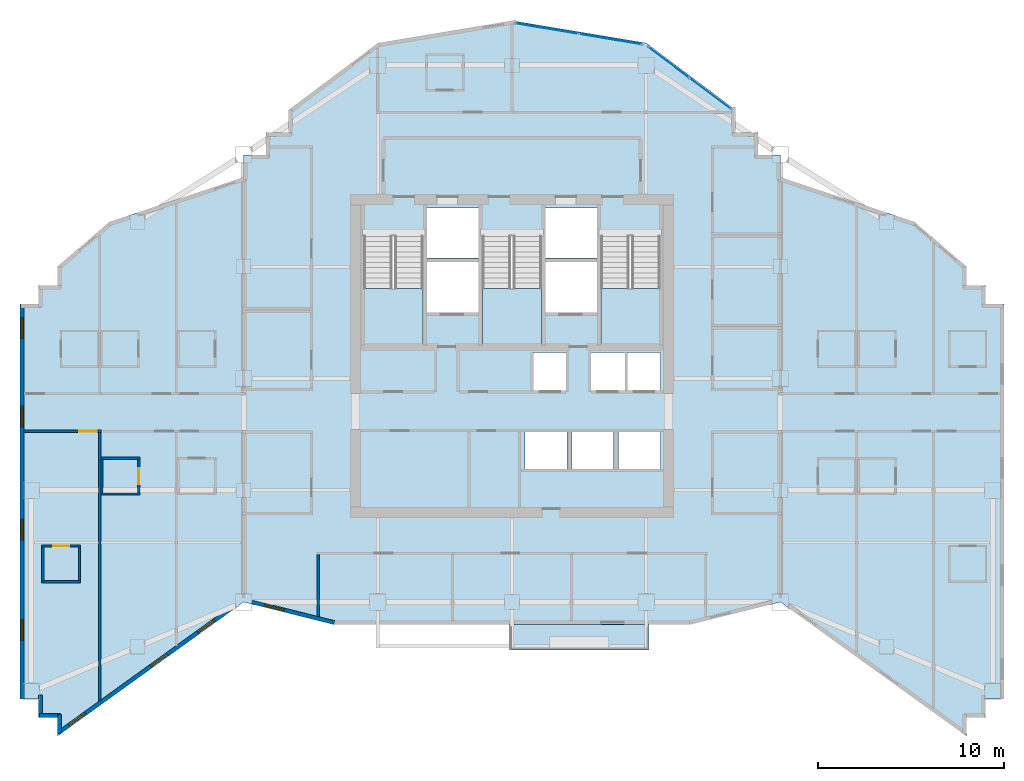
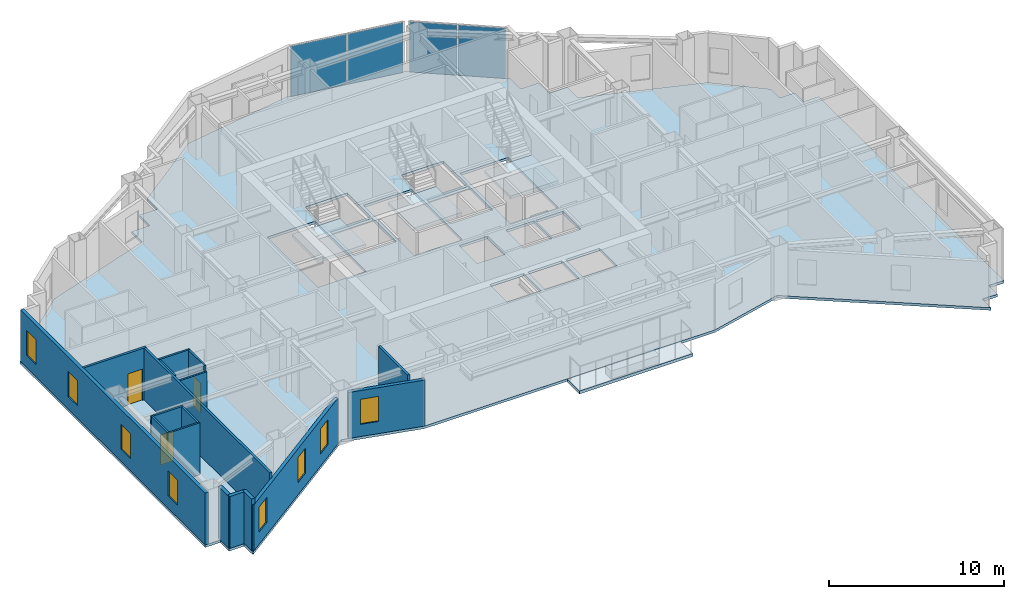
# One storey, part 4 of 11: 17 walls, 8 windows, 5 slabs, 4 plates, 3 doors, 11 openings, 5 elements without a shape of their own.
"""IFC4 building model written with IfcOpenShell, lengths in metres."""

from ifc_helpers import new_model, si_unit, direction, frame, frame_2d, origin, origin_2d, place, context, subcontext, project, spatial, polyline, rectangle, outline, extrude, material, layer, layer_set, type_object, element, fill, aggregate, save


model = new_model("IFC4")

# Units and contexts
model_context = context("Model", 3, precision=1e-05, world=origin(), true_north=direction((0.0, 1.0)))
body_context = subcontext(model_context, "Body", "Model", "MODEL_VIEW")
ifc_project = project(units=[si_unit("LENGTHUNIT", "METRE"), si_unit("AREAUNIT", "SQUARE_METRE"), si_unit("VOLUMEUNIT", "CUBIC_METRE"), si_unit("PLANEANGLEUNIT", "RADIAN"), si_unit("MASSUNIT", "GRAM", prefix="KILO")], contexts=[model_context])

# Site, building, storey
site_placement = place(None, origin())
site = spatial("IfcSite", under=ifc_project, at=site_placement, CompositionType="ELEMENT")
building_placement = place(site_placement, origin())
building = spatial("IfcBuilding", under=site, at=building_placement, Name="Haolan Belvedere Tower", CompositionType="ELEMENT")
storey_placement = place(building_placement, frame((0.0, 0.0, 223.0)))
storey = spatial("IfcBuildingStorey", under=building, at=storey_placement, Name="L56", CompositionType="ELEMENT", Elevation=223.0)

# Curtain wall, plates
ifc_material_1 = material(Name="Anodised champagne-silver aluminium 6063-T6 and Low-E glass", Category="aluminium")
ifc_layer_1 = layer(ifc_material_1, 0.14990234375, Name="Anodised champagne-silver aluminium 6063-T6 and Low-E glass")
ifc_layer_set_1 = layer_set([ifc_layer_1], Name="Anodised champagne-silver aluminium 6063-T6 and Low-E glass")
curtain_wall_type = type_object("IfcCurtainWallType", Name="CW-SYS-04", PredefinedType="NOTDEFINED", material=ifc_layer_set_1)
curtain_wall_1_placement = place(storey_placement, origin())
curtain_wall_1 = element("IfcCurtainWall", 1, at=curtain_wall_1_placement, inside=storey, type_object=curtain_wall_type, Name="L56 CW-SYS-04 ribbon curtain wall 20.1", PredefinedType="NOTDEFINED")
ifc_material_2 = material(Name="Double silver Low-E laminated insulating glass", Category="glass")
ifc_layer_2 = layer(ifc_material_2, 0.02392578125, Name="Double silver Low-E laminated insulating glass")
ifc_layer_set_2 = layer_set([ifc_layer_2], Name="Double silver Low-E laminated insulating glass")
plate_type = type_object("IfcPlateType", Name="CW-SYS-04-PNL", PredefinedType="CURTAIN_PANEL", material=ifc_layer_set_2)
plate_1_placement = place(storey_placement, frame((49.0390625, 48.883056640625, 0.052001953125), z_axis=(0.0, 0.0, 1.0), x_axis=(-0.799997871638, 0.600002837806, 0.0)))
plate_1 = element("IfcPlate", 2, at=plate_1_placement, type_object=plate_type, Name="CW-04 panel 1.1", PredefinedType="CURTAIN_PANEL", context=body_context, shape_type="SweptSolid", body=[
    extrude(rectangle(XDim=2.735107421875, YDim=0.02392578125, at=origin_2d()), origin(), (0.0, 0.0, 1.0), 3.51611328125),
])
plate_2_placement = place(storey_placement, frame((46.806396484375, 50.557861328125, 0.052001953125), z_axis=(0.0, 0.0, 1.0), x_axis=(-0.799997871638, 0.600002837806, 0.0)))
plate_2 = element("IfcPlate", 3, at=plate_2_placement, type_object=plate_type, Name="CW-04 panel 2.1", PredefinedType="CURTAIN_PANEL", context=body_context, shape_type="SweptSolid", body=[
    extrude(rectangle(XDim=2.735107421875, YDim=0.02392578125, at=origin_2d()), origin(), (0.0, 0.0, 1.0), 3.51611328125),
])
aggregate(curtain_wall_1, [plate_1, plate_2])

curtain_wall_2_placement = place(storey_placement, origin())
curtain_wall_2 = element("IfcCurtainWall", 4, at=curtain_wall_2_placement, inside=storey, type_object=curtain_wall_type, Name="L56 CW-SYS-04 ribbon curtain wall 21.1", PredefinedType="NOTDEFINED")
plate_3_placement = place(storey_placement, frame((43.683837890625, 51.807861328125, 0.052001953125), z_axis=(0.0, 0.0, 1.0), x_axis=(-0.98639276122, 0.164405962825, 0.0)))
plate_3 = element("IfcPlate", 5, at=plate_3_placement, type_object=plate_type, Name="CW-04 panel 1.1", PredefinedType="CURTAIN_PANEL", context=body_context, shape_type="SweptSolid", body=[
    extrude(rectangle(XDim=3.403076171875, YDim=0.02392578125, at=origin_2d()), origin(), (0.0, 0.0, 1.0), 3.51611328125),
])
plate_4_placement = place(storey_placement, frame((40.271728515625, 52.37646484375, 0.052001953125), z_axis=(0.0, 0.0, 1.0), x_axis=(-0.98639276122, 0.164405962825, 0.0)))
plate_4 = element("IfcPlate", 6, at=plate_4_placement, type_object=plate_type, Name="CW-04 panel 2.1", PredefinedType="CURTAIN_PANEL", context=body_context, shape_type="SweptSolid", body=[
    extrude(rectangle(XDim=3.403076171875, YDim=0.02392578125, at=origin_2d()), origin(), (0.0, 0.0, 1.0), 3.51611328125),
])
aggregate(curtain_wall_2, [plate_3, plate_4])

# Slabs
ifc_material_3 = material(Name="Concrete C40/50", Category="concrete")
ifc_layer_3 = layer(ifc_material_3, 0.2099609375, Name="Concrete C40/50")
ifc_layer_set_3 = layer_set([ifc_layer_3], Name="Concrete C40/50")
slab_type_1 = type_object("IfcSlabType", Name="SL-BAL-210", PredefinedType="FLOOR", material=ifc_layer_set_3)
slab_1_placement = place(storey_placement, frame((0.0, 0.0, -0.22998046875)))
element("IfcSlab", 7, at=slab_1_placement, inside=storey, type_object=slab_type_1, Name="L56 structural tree-planter balcony slab BAL-L56-S1", PredefinedType="FLOOR", context=body_context, shape_type="SweptSolid", body=[
    extrude(outline(polyline([(38.25, 19.02001953125), (45.75, 19.02001953125), (45.75, 20.39990234375), (38.25, 20.39990234375), (38.25, 19.02001953125)])), origin(), (0.0, 0.0, 1.0), 0.2099609375),
])
ifc_layer_4 = layer(ifc_material_3, 0.179931640625, Name="Concrete C40/50")
ifc_layer_set_4 = layer_set([ifc_layer_4], Name="Concrete C40/50")
slab_type_2 = type_object("IfcSlabType", Name="SL-FLR-180", PredefinedType="FLOOR", material=ifc_layer_set_4)
slab_2_placement = place(storey_placement, frame((0.0, 0.0, -0.179931640625)))
element("IfcSlab", 8, at=slab_2_placement, inside=storey, type_object=slab_type_2, Name="L56 structural floor slab", PredefinedType="FLOOR", context=body_context, shape_type="SweptSolid", body=[
    extrude(outline(polyline([(24.0, 21.60009765625), (28.800048828125, 20.39990234375), (48.0, 20.39990234375), (52.800048828125, 21.60009765625), (62.800048828125, 14.39990234375), (62.800048828125, 15.39990234375), (63.800048828125, 15.39990234375), (63.800048828125, 16.39990234375), (64.800048828125, 16.39990234375), (64.800048828125, 37.60009765625), (63.800048828125, 37.60009765625), (63.800048828125, 38.60009765625), (62.800048828125, 38.60009765625), (62.800048828125, 39.60009765625), (60.0, 42.0), (52.800048828125, 44.39990234375), (52.800048828125, 45.60009765625), (51.60009765625, 45.60009765625), (51.60009765625, 46.800048828125), (50.39990234375, 46.800048828125), (50.39990234375, 48.0), (45.60009765625, 51.60009765625), (38.39990234375, 52.800048828125), (31.199951171875, 51.60009765625), (26.39990234375, 48.0), (26.39990234375, 46.800048828125), (25.199951171875, 46.800048828125), (25.199951171875, 45.60009765625), (24.0, 45.60009765625), (24.0, 44.39990234375), (16.800048828125, 42.0), (14.0, 39.60009765625), (14.0, 38.60009765625), (13.0, 38.60009765625), (13.0, 37.60009765625), (12.0, 37.60009765625), (12.0, 16.800048828125), (12.0, 16.39990234375), (13.0, 16.39990234375), (13.0, 15.39990234375), (14.0, 15.39990234375), (14.0, 14.39990234375), (24.0, 21.60009765625)]), holes=[polyline([(30.449951171875, 41.22998046875), (30.449951171875, 35.449951171875), (33.6298828125, 35.449951171875), (33.6298828125, 41.22998046875), (30.449951171875, 41.22998046875)]), polyline([(36.81005859375, 41.22998046875), (36.81005859375, 35.449951171875), (39.989990234375, 35.449951171875), (39.989990234375, 41.22998046875), (36.81005859375, 41.22998046875)]), polyline([(43.169921875, 41.22998046875), (43.169921875, 35.449951171875), (46.35009765625, 35.449951171875), (46.35009765625, 41.22998046875), (43.169921875, 41.22998046875)]), polyline([(33.830078125, 40.050048828125), (36.610107421875, 40.050048828125), (36.610107421875, 42.75), (33.830078125, 42.75), (33.830078125, 40.050048828125)]), polyline([(33.830078125, 37.14990234375), (36.610107421875, 37.14990234375), (36.610107421875, 39.85009765625), (33.830078125, 39.85009765625), (33.830078125, 37.14990234375)]), polyline([(40.18994140625, 40.050048828125), (42.969970703125, 40.050048828125), (42.969970703125, 42.75), (40.18994140625, 42.75), (40.18994140625, 40.050048828125)]), polyline([(40.18994140625, 37.14990234375), (42.969970703125, 37.14990234375), (42.969970703125, 39.85009765625), (40.18994140625, 39.85009765625), (40.18994140625, 37.14990234375)]), polyline([(39.5400390625, 32.949951171875), (41.389892578125, 32.949951171875), (41.389892578125, 35.0), (39.5400390625, 35.0), (39.5400390625, 32.949951171875)]), polyline([(42.6201171875, 32.949951171875), (44.469970703125, 32.949951171875), (44.469970703125, 35.0), (42.6201171875, 35.0), (42.6201171875, 32.949951171875)]), polyline([(44.580078125, 32.949951171875), (46.3798828125, 32.949951171875), (46.3798828125, 35.0), (44.580078125, 35.0), (44.580078125, 32.949951171875)]), polyline([(39.10009765625, 28.75), (41.340087890625, 28.75), (41.340087890625, 30.75), (39.10009765625, 30.75), (39.10009765625, 28.75)]), polyline([(41.610107421875, 28.75), (43.85009765625, 28.75), (43.85009765625, 30.75), (41.610107421875, 30.75), (41.610107421875, 28.75)]), polyline([(44.1201171875, 28.75), (46.360107421875, 28.75), (46.360107421875, 30.75), (44.1201171875, 30.75), (44.1201171875, 28.75)])]), origin(), (0.0, 0.0, 1.0), 0.179931640625),
])

# Stair, slab
stair_type = type_object("IfcStairType", Name="STR-DL-22R-173", PredefinedType="HALF_TURN_STAIR", material=ifc_material_3)
stair_1_placement = place(storey_placement, origin())
stair_1 = element("IfcStair", 9, at=stair_1_placement, inside=storey, type_object=stair_type, Name="L56 Smokeproof Core Exit Stair ST1", PredefinedType="HALF_TURN_STAIR")
ifc_layer_5 = layer(ifc_material_3, 0.199951171875, Name="Concrete C40/50")
ifc_layer_set_5 = layer_set([ifc_layer_5], Name="Concrete C40/50")
slab_type_3 = type_object("IfcSlabType", Name="SL-LAND-200", PredefinedType="LANDING", material=ifc_layer_set_5)
slab_3_placement = place(storey_placement, frame((0.0, 0.0, 1.699951171875)))
slab_3 = element("IfcSlab", 10, at=slab_3_placement, type_object=slab_type_3, Name="ST1 landing 1", PredefinedType="LANDING", context=body_context, shape_type="SweptSolid", body=[
    extrude(outline(polyline([(30.449951171875, 38.429931640625), (30.449951171875, 35.449951171875), (33.6298828125, 35.449951171875), (33.6298828125, 38.429931640625), (30.449951171875, 38.429931640625)])), origin(), (0.0, 0.0, 1.0), 0.199951171875),
])
aggregate(stair_1, [slab_3])

stair_2_placement = place(storey_placement, origin())
stair_2 = element("IfcStair", 11, at=stair_2_placement, inside=storey, type_object=stair_type, Name="L56 Smokeproof Core Exit Stair ST3", PredefinedType="HALF_TURN_STAIR")
slab_4_placement = place(storey_placement, frame((0.0, 0.0, 1.699951171875)))
slab_4 = element("IfcSlab", 12, at=slab_4_placement, type_object=slab_type_3, Name="ST3 landing 1", PredefinedType="LANDING", context=body_context, shape_type="SweptSolid", body=[
    extrude(outline(polyline([(36.81005859375, 38.429931640625), (36.81005859375, 35.449951171875), (39.989990234375, 35.449951171875), (39.989990234375, 38.429931640625), (36.81005859375, 38.429931640625)])), origin(), (0.0, 0.0, 1.0), 0.199951171875),
])
aggregate(stair_2, [slab_4])

stair_3_placement = place(storey_placement, origin())
stair_3 = element("IfcStair", 13, at=stair_3_placement, inside=storey, type_object=stair_type, Name="L56 Smokeproof Core Exit Stair ST2", PredefinedType="HALF_TURN_STAIR")
slab_5_placement = place(storey_placement, frame((0.0, 0.0, 1.699951171875)))
slab_5 = element("IfcSlab", 14, at=slab_5_placement, type_object=slab_type_3, Name="ST2 landing 1", PredefinedType="LANDING", context=body_context, shape_type="SweptSolid", body=[
    extrude(outline(polyline([(43.169921875, 38.429931640625), (43.169921875, 35.449951171875), (46.35009765625, 35.449951171875), (46.35009765625, 38.429931640625), (43.169921875, 38.429931640625)])), origin(), (0.0, 0.0, 1.0), 0.199951171875),
])
aggregate(stair_3, [slab_5])

# Wall, openings, windows
ifc_material_4 = material(Name="Precast concrete C40/50", Category="concrete")
ifc_layer_6 = layer(ifc_material_4, 0.219970703125, Name="Precast concrete C40/50")
ifc_layer_set_6 = layer_set([ifc_layer_6], Name="Precast concrete C40/50")
wall_type_1 = type_object("IfcWallType", Name="WL-EXT-220", PredefinedType="SOLIDWALL", material=ifc_layer_set_6)
wall_1_placement = place(storey_placement, frame((12.110107421875, 37.544921875, 0.0), z_axis=(0.0, 0.0, 1.0), x_axis=(0.0, -1.0, 0.0)))
wall_1 = element("IfcWall", 15, at=wall_1_placement, inside=storey, type_object=wall_type_1, Name="L56 pale-metal exterior spandrel wall 35.1", PredefinedType="SOLIDWALL", context=body_context, shape_type="SweptSolid", body=[
    extrude(rectangle(XDim=21.14501953125, YDim=0.219970703125, at=frame_2d((10.572509765625, 0.0))), origin(), (0.0, 0.0, 1.0), 3.6201171875),
])
opening_1_placement = place(wall_1_placement, frame((0.699951171875, 0.0, 0.85009765625)))
opening_1 = element("IfcOpeningElement", 16, at=opening_1_placement, cuts=wall_1, Name="Opening W-03", PredefinedType="OPENING", context=body_context, shape_type="SweptSolid", body=[
    extrude(rectangle(XDim=1.10009765625, YDim=1.75, at=frame_2d((0.550048828125, 0.875))), frame((0.0, 0.119873046875, 0.0), z_axis=(0.0, -1.0, 0.0), x_axis=(1.0, 0.0, 0.0)), (0.0, 0.0, 1.0), 0.239990234375),
])
opening_2_placement = place(wall_1_placement, frame((5.43994140625, 0.0, 0.85009765625)))
opening_2 = element("IfcOpeningElement", 17, at=opening_2_placement, cuts=wall_1, Name="Opening W-03", PredefinedType="OPENING", context=body_context, shape_type="SweptSolid", body=[
    extrude(rectangle(XDim=1.10009765625, YDim=1.75, at=frame_2d((0.550048828125, 0.875))), frame((0.0, 0.119873046875, 0.0), z_axis=(0.0, -1.0, 0.0), x_axis=(1.0, 0.0, 0.0)), (0.0, 0.0, 1.0), 0.239990234375),
])
opening_3_placement = place(wall_1_placement, frame((11.5, 0.0, 0.85009765625)))
opening_3 = element("IfcOpeningElement", 18, at=opening_3_placement, cuts=wall_1, Name="Opening W-03", PredefinedType="OPENING", context=body_context, shape_type="SweptSolid", body=[
    extrude(rectangle(XDim=1.10009765625, YDim=1.75, at=frame_2d((0.550048828125, 0.875))), frame((0.0, 0.119873046875, 0.0), z_axis=(0.0, -1.0, 0.0), x_axis=(1.0, 0.0, 0.0)), (0.0, 0.0, 1.0), 0.239990234375),
])
opening_4_placement = place(wall_1_placement, frame((16.89990234375, 0.0, 0.85009765625)))
opening_4 = element("IfcOpeningElement", 19, at=opening_4_placement, cuts=wall_1, Name="Opening W-03", PredefinedType="OPENING", context=body_context, shape_type="SweptSolid", body=[
    extrude(rectangle(XDim=1.10009765625, YDim=1.75, at=frame_2d((0.550048828125, 0.875))), frame((0.0, 0.119873046875, 0.0), z_axis=(0.0, -1.0, 0.0), x_axis=(1.0, 0.0, 0.0)), (0.0, 0.0, 1.0), 0.239990234375),
])
ifc_material_5 = material(Name="Anodised aluminium 6063-T6 and Low-E glass", Category="aluminium")
window_type = type_object("IfcWindowType", Name="WN-DECO-Z3", PartitioningType="SINGLE_PANEL", PredefinedType="WINDOW", material=ifc_material_5)
window_1_placement = place(opening_1_placement, origin())
window_1 = element("IfcWindow", 20, at=window_1_placement, inside=storey, type_object=window_type, Name="L56 Art Deco chevron window 1", OverallHeight=1.75, OverallWidth=1.10009765625, PartitioningType="SINGLE_PANEL", PredefinedType="WINDOW", context=body_context, shape_type="SweptSolid", body=[
    extrude(rectangle(XDim=1.10009765625, YDim=1.75, at=frame_2d((0.550048828125, 0.875))), frame((0.0, 0.030029296875, 0.0), z_axis=(0.0, -1.0, 0.0), x_axis=(1.0, 0.0, 0.0)), (0.0, 0.0, 1.0), 0.06005859375),
])
fill(opening_1, window_1)
window_2_placement = place(opening_2_placement, origin())
window_2 = element("IfcWindow", 21, at=window_2_placement, inside=storey, type_object=window_type, Name="L56 Art Deco chevron window 2", OverallHeight=1.75, OverallWidth=1.10009765625, PartitioningType="SINGLE_PANEL", PredefinedType="WINDOW", context=body_context, shape_type="SweptSolid", body=[
    extrude(rectangle(XDim=1.10009765625, YDim=1.75, at=frame_2d((0.550048828125, 0.875))), frame((0.0, 0.030029296875, 0.0), z_axis=(0.0, -1.0, 0.0), x_axis=(1.0, 0.0, 0.0)), (0.0, 0.0, 1.0), 0.06005859375),
])
fill(opening_2, window_2)
window_3_placement = place(opening_3_placement, origin())
window_3 = element("IfcWindow", 22, at=window_3_placement, inside=storey, type_object=window_type, Name="L56 Art Deco chevron window 3", OverallHeight=1.75, OverallWidth=1.10009765625, PartitioningType="SINGLE_PANEL", PredefinedType="WINDOW", context=body_context, shape_type="SweptSolid", body=[
    extrude(rectangle(XDim=1.10009765625, YDim=1.75, at=frame_2d((0.550048828125, 0.875))), frame((0.0, 0.030029296875, 0.0), z_axis=(0.0, -1.0, 0.0), x_axis=(1.0, 0.0, 0.0)), (0.0, 0.0, 1.0), 0.06005859375),
])
fill(opening_3, window_3)
window_4_placement = place(opening_4_placement, origin())
window_4 = element("IfcWindow", 23, at=window_4_placement, inside=storey, type_object=window_type, Name="L56 Art Deco chevron window 4", OverallHeight=1.75, OverallWidth=1.10009765625, PartitioningType="SINGLE_PANEL", PredefinedType="WINDOW", context=body_context, shape_type="SweptSolid", body=[
    extrude(rectangle(XDim=1.10009765625, YDim=1.75, at=frame_2d((0.550048828125, 0.875))), frame((0.0, 0.030029296875, 0.0), z_axis=(0.0, -1.0, 0.0), x_axis=(1.0, 0.0, 0.0)), (0.0, 0.0, 1.0), 0.06005859375),
])
fill(opening_4, window_4)

# Walls
wall_2_placement = place(storey_placement, frame((13.110107421875, 16.6201171875, 0.0), z_axis=(0.0, 0.0, 1.0), x_axis=(0.0, -1.0, 0.0)))
element("IfcWall", 24, at=wall_2_placement, inside=storey, type_object=wall_type_1, Name="L56 pale-metal exterior spandrel wall 37.1", PredefinedType="SOLIDWALL", context=body_context, shape_type="SweptSolid", body=[
    extrude(rectangle(XDim=1.1650390625, YDim=0.219970703125, at=frame_2d((0.58251953125, 0.0))), origin(), (0.0, 0.0, 1.0), 3.6201171875),
])
wall_3_placement = place(storey_placement, frame((13.054931640625, 15.510009765625, 0.0), z_axis=(0.0, 0.0, 1.0), x_axis=(1.0, 0.0, 0.0)))
element("IfcWall", 25, at=wall_3_placement, inside=storey, type_object=wall_type_1, Name="L56 pale-metal exterior spandrel wall 38.1", PredefinedType="SOLIDWALL", context=body_context, shape_type="SweptSolid", body=[
    extrude(rectangle(XDim=1.110107421875, YDim=0.219970703125, at=frame_2d((0.55517578125, 0.0))), origin(), (0.0, 0.0, 1.0), 3.6201171875),
])
wall_4_placement = place(storey_placement, frame((14.110107421875, 15.56494140625, 0.0), z_axis=(0.0, 0.0, 1.0), x_axis=(0.0, -1.0, 0.0)))
element("IfcWall", 26, at=wall_4_placement, inside=storey, type_object=wall_type_1, Name="L56 pale-metal exterior spandrel wall 39.1", PredefinedType="SOLIDWALL", context=body_context, shape_type="SweptSolid", body=[
    extrude(rectangle(XDim=1.005126953125, YDim=0.219970703125, at=frame_2d((0.50244140625, 0.0))), origin(), (0.0, 0.0, 1.0), 3.6201171875),
])

# Wall, openings, windows
wall_5_placement = place(storey_placement, frame((14.0654296875, 14.58251953125, 0.0), z_axis=(0.0, 0.0, 1.0), x_axis=(0.811534737332, 0.58430417601, 0.0)))
wall_5 = element("IfcWall", 27, at=wall_5_placement, inside=storey, type_object=wall_type_1, Name="L56 pale-metal exterior spandrel wall 40.1", PredefinedType="SOLIDWALL", context=body_context, shape_type="SweptSolid", body=[
    extrude(rectangle(XDim=11.697265625, YDim=0.219970703125, at=frame_2d((5.8486328125, 0.0))), origin(), (0.0, 0.0, 1.0), 3.215087890625),
])
opening_5_placement = place(wall_5_placement, frame((0.699951171875, 0.0, 0.85009765625)))
opening_5 = element("IfcOpeningElement", 28, at=opening_5_placement, cuts=wall_5, Name="Opening W-03", PredefinedType="OPENING", context=body_context, shape_type="SweptSolid", body=[
    extrude(rectangle(XDim=1.10009765625, YDim=1.75, at=frame_2d((0.550048828125, 0.875))), frame((0.0, 0.119873046875, 0.0), z_axis=(0.0, -1.0, 0.0), x_axis=(1.0, 0.0, 0.0)), (0.0, 0.0, 1.0), 0.239990234375),
])
opening_6_placement = place(wall_5_placement, frame((6.10009765625, 0.0, 0.85009765625)))
opening_6 = element("IfcOpeningElement", 29, at=opening_6_placement, cuts=wall_5, Name="Opening W-03", PredefinedType="OPENING", context=body_context, shape_type="SweptSolid", body=[
    extrude(rectangle(XDim=1.10009765625, YDim=1.75, at=frame_2d((0.550048828125, 0.875))), frame((0.0, 0.119873046875, 0.0), z_axis=(0.0, -1.0, 0.0), x_axis=(1.0, 0.0, 0.0)), (0.0, 0.0, 1.0), 0.239990234375),
])
opening_7_placement = place(wall_5_placement, frame((9.232666015625, 0.0, 0.85009765625)))
opening_7 = element("IfcOpeningElement", 30, at=opening_7_placement, cuts=wall_5, Name="Opening W-03", PredefinedType="OPENING", context=body_context, shape_type="SweptSolid", body=[
    extrude(rectangle(XDim=1.10009765625, YDim=1.75, at=frame_2d((0.550048828125, 0.875))), frame((0.0, 0.119873046875, 0.0), z_axis=(0.0, -1.0, 0.0), x_axis=(1.0, 0.0, 0.0)), (0.0, 0.0, 1.0), 0.239990234375),
])
window_5_placement = place(opening_5_placement, origin())
window_5 = element("IfcWindow", 31, at=window_5_placement, inside=storey, type_object=window_type, Name="L56 Art Deco chevron window 1", OverallHeight=1.75, OverallWidth=1.10009765625, PartitioningType="SINGLE_PANEL", PredefinedType="WINDOW", context=body_context, shape_type="SweptSolid", body=[
    extrude(rectangle(XDim=1.10009765625, YDim=1.75, at=frame_2d((0.550048828125, 0.875))), frame((0.0, 0.030029296875, 0.0), z_axis=(0.0, -1.0, 0.0), x_axis=(1.0, 0.0, 0.0)), (0.0, 0.0, 1.0), 0.06005859375),
])
fill(opening_5, window_5)
window_6_placement = place(opening_6_placement, origin())
window_6 = element("IfcWindow", 32, at=window_6_placement, inside=storey, type_object=window_type, Name="L56 Art Deco chevron window 2", OverallHeight=1.75, OverallWidth=1.10009765625, PartitioningType="SINGLE_PANEL", PredefinedType="WINDOW", context=body_context, shape_type="SweptSolid", body=[
    extrude(rectangle(XDim=1.10009765625, YDim=1.75, at=frame_2d((0.550048828125, 0.875))), frame((0.0, 0.030029296875, 0.0), z_axis=(0.0, -1.0, 0.0), x_axis=(1.0, 0.0, 0.0)), (0.0, 0.0, 1.0), 0.06005859375),
])
fill(opening_6, window_6)
window_7_placement = place(opening_7_placement, origin())
window_7 = element("IfcWindow", 33, at=window_7_placement, inside=storey, type_object=window_type, Name="L56 Art Deco guestroom window 1", OverallHeight=1.75, OverallWidth=1.10009765625, PartitioningType="SINGLE_PANEL", PredefinedType="WINDOW", context=body_context, shape_type="SweptSolid", body=[
    extrude(rectangle(XDim=1.10009765625, YDim=1.75, at=frame_2d((0.550048828125, 0.875))), frame((0.0, 0.030029296875, 0.0), z_axis=(0.0, -1.0, 0.0), x_axis=(1.0, 0.0, 0.0)), (0.0, 0.0, 1.0), 0.06005859375),
])
fill(opening_7, window_7)

# Wall, opening, window
wall_6_placement = place(storey_placement, frame((24.44189453125, 21.602783203125, 0.0), z_axis=(0.0, 0.0, 1.0), x_axis=(0.970145648609, -0.242523030833, 0.0)))
wall_6 = element("IfcWall", 34, at=wall_6_placement, inside=storey, type_object=wall_type_1, Name="L56 pale-metal exterior spandrel wall 41.1", PredefinedType="SOLIDWALL", context=body_context, shape_type="SweptSolid", body=[
    extrude(rectangle(XDim=4.561279296875, YDim=0.219970703125, at=frame_2d((2.28076171875, 0.0))), origin(), (0.0, 0.0, 1.0), 3.215087890625),
])
opening_8_placement = place(wall_6_placement, frame((0.699951171875, 0.0, 0.85009765625)))
opening_8 = element("IfcOpeningElement", 35, at=opening_8_placement, cuts=wall_6, Name="Opening W-03", PredefinedType="OPENING", context=body_context, shape_type="SweptSolid", body=[
    extrude(rectangle(XDim=1.10009765625, YDim=1.75, at=frame_2d((0.550048828125, 0.875))), frame((0.0, 0.119873046875, 0.0), z_axis=(0.0, -1.0, 0.0), x_axis=(1.0, 0.0, 0.0)), (0.0, 0.0, 1.0), 0.239990234375),
])
window_8_placement = place(opening_8_placement, origin())
window_8 = element("IfcWindow", 36, at=window_8_placement, inside=storey, type_object=window_type, Name="L56 Art Deco chevron window 1", OverallHeight=1.75, OverallWidth=1.10009765625, PartitioningType="SINGLE_PANEL", PredefinedType="WINDOW", context=body_context, shape_type="SweptSolid", body=[
    extrude(rectangle(XDim=1.10009765625, YDim=1.75, at=frame_2d((0.550048828125, 0.875))), frame((0.0, 0.030029296875, 0.0), z_axis=(0.0, -1.0, 0.0), x_axis=(1.0, 0.0, 0.0)), (0.0, 0.0, 1.0), 0.06005859375),
])
fill(opening_8, window_8)

# Wall
ifc_material_6 = material(Name="Double gypsum acoustic stud partition", Category="masonry")
ifc_layer_7 = layer(ifc_material_6, 0.14990234375, Name="Double gypsum acoustic stud partition")
ifc_layer_set_7 = layer_set([ifc_layer_7], Name="Double gypsum acoustic stud partition")
wall_type_2 = type_object("IfcWallType", Name="WL-PART-150", PredefinedType="PARTITIONING", material=ifc_layer_set_7)
wall_7_placement = place(storey_placement, frame((28.0, 20.818603515625, 0.0), z_axis=(0.0, 0.0, 1.0), x_axis=(0.0, 1.0, 0.0)))
element("IfcWall", 37, at=wall_7_placement, inside=storey, type_object=wall_type_2, Name="L56 interior partition IW-L56-KS2-W", PredefinedType="PARTITIONING", context=body_context, shape_type="SweptSolid", body=[
    extrude(rectangle(XDim=3.34130859375, YDim=0.14990234375, at=frame_2d((1.670654296875, 0.0))), origin(), (0.0, 0.0, 1.0), 3.6201171875),
])

# Wall, opening, door
wall_8_placement = place(storey_placement, frame((12.2119140625, 30.77001953125, 0.0), z_axis=(0.0, 0.0, 1.0), x_axis=(1.0, 0.0, 0.0)))
wall_8 = element("IfcWall", 38, at=wall_8_placement, inside=storey, type_object=wall_type_2, Name="L56 interior partition IW-L56-T2S1-N", PredefinedType="PARTITIONING", context=body_context, shape_type="SweptSolid", body=[
    extrude(rectangle(XDim=4.16796875, YDim=0.14990234375, at=frame_2d((2.083984375, 0.0))), origin(), (0.0, 0.0, 1.0), 3.6201171875),
])
opening_9_placement = place(wall_8_placement, frame((3.904541015625, 0.0, 0.0), z_axis=(0.0, 0.0, 1.0), x_axis=(-1.0, 0.0, 0.0)))
opening_9 = element("IfcOpeningElement", 39, at=opening_9_placement, cuts=wall_8, Name="Opening ID-01", PredefinedType="OPENING", context=body_context, shape_type="SweptSolid", body=[
    extrude(rectangle(XDim=0.949951171875, YDim=2.179931640625, at=frame_2d((0.47509765625, 1.08984375))), frame((0.0, 0.0849609375, 0.0), z_axis=(0.0, -1.0, 0.0), x_axis=(1.0, 0.0, 0.0)), (0.0, 0.0, 1.0), 0.169921875),
])
ifc_material_7 = material(Name="Acoustic walnut veneer fire-rated timber", Category="wood")
door_type_1 = type_object("IfcDoorType", Name="DR-SUITE-950", OperationType="NOTDEFINED", PredefinedType="DOOR", material=ifc_material_7)
door_1_placement = place(opening_9_placement, origin())
door_1 = element("IfcDoor", 40, at=door_1_placement, inside=storey, type_object=door_type_1, Name="L56 door ID-L56-T2S1-ENT", OperationType="SINGLE_SWING_LEFT", OverallHeight=2.179931640625, OverallWidth=0.949951171875, PredefinedType="DOOR", context=body_context, shape_type="SweptSolid", body=[
    extrude(rectangle(XDim=0.949951171875, YDim=2.179931640625, at=frame_2d((0.47509765625, 1.08984375))), frame((0.0, 0.02490234375, 0.0), z_axis=(0.0, -1.0, 0.0), x_axis=(1.0, 0.0, 0.0)), (0.0, 0.0, 1.0), 0.050048828125),
])
fill(opening_9, door_1)

# Wall
wall_9_placement = place(storey_placement, frame((16.280029296875, 16.302734375, 0.0), z_axis=(0.0, 0.0, 1.0), x_axis=(0.0, 1.0, 0.0)))
element("IfcWall", 41, at=wall_9_placement, inside=storey, type_object=wall_type_2, Name="L56 interior partition IW-L56-T2S1-E", PredefinedType="PARTITIONING", context=body_context, shape_type="SweptSolid", body=[
    extrude(rectangle(XDim=14.4072265625, YDim=0.14990234375, at=frame_2d((7.20361328125, 0.0))), origin(), (0.0, 0.0, 1.0), 3.6201171875),
])

# Wall, opening, door
ifc_material_8 = material(Name="Moisture-resistant gypsum tile partition", Category="masonry")
ifc_layer_8 = layer(ifc_material_8, 0.1201171875, Name="Moisture-resistant gypsum tile partition")
ifc_layer_set_8 = layer_set([ifc_layer_8], Name="Moisture-resistant gypsum tile partition")
wall_type_3 = type_object("IfcWallType", Name="WL-WET-120", PredefinedType="PARTITIONING", material=ifc_layer_set_8)
wall_10_placement = place(storey_placement, frame((13.155029296875, 24.610107421875, 0.0), z_axis=(0.0, 0.0, 1.0), x_axis=(1.0, 0.0, 0.0)))
wall_10 = element("IfcWall", 42, at=wall_10_placement, inside=storey, type_object=wall_type_3, Name="L56 interior partition IW-L56-T2S1-BN", PredefinedType="PARTITIONING", context=body_context, shape_type="SweptSolid", body=[
    extrude(rectangle(XDim=2.099853515625, YDim=0.1201171875, at=frame_2d((1.0498046875, 0.0))), origin(), (0.0, 0.0, 1.0), 3.6201171875),
])
opening_10_placement = place(wall_10_placement, frame((1.47509765625, 0.0, 0.0), z_axis=(0.0, 0.0, 1.0), x_axis=(-1.0, 0.0, 0.0)))
opening_10 = element("IfcOpeningElement", 43, at=opening_10_placement, cuts=wall_10, Name="Opening ID-05", PredefinedType="OPENING", context=body_context, shape_type="SweptSolid", body=[
    extrude(rectangle(XDim=0.85009765625, YDim=2.10009765625, at=frame_2d((0.425048828125, 1.050048828125))), frame((0.0, 0.070068359375, 0.0), z_axis=(0.0, -1.0, 0.0), x_axis=(1.0, 0.0, 0.0)), (0.0, 0.0, 1.0), 0.14013671875),
])
ifc_material_9 = material(Name="Moisture-resistant lacquered timber", Category="wood")
door_type_2 = type_object("IfcDoorType", Name="DR-BATH-850", OperationType="NOTDEFINED", PredefinedType="DOOR", material=ifc_material_9)
door_2_placement = place(opening_10_placement, origin())
door_2 = element("IfcDoor", 44, at=door_2_placement, inside=storey, type_object=door_type_2, Name="L56 door ID-L56-T2S1-BATH", OperationType="SINGLE_SWING_RIGHT", OverallHeight=2.10009765625, OverallWidth=0.85009765625, PredefinedType="DOOR", context=body_context, shape_type="SweptSolid", body=[
    extrude(rectangle(XDim=0.85009765625, YDim=2.10009765625, at=frame_2d((0.425048828125, 1.050048828125))), frame((0.0, 0.02490234375, 0.0), z_axis=(0.0, -1.0, 0.0), x_axis=(1.0, 0.0, 0.0)), (0.0, 0.0, 1.0), 0.050048828125),
])
fill(opening_10, door_2)

# Walls
wall_11_placement = place(storey_placement, frame((13.155029296875, 22.68994140625, 0.0), z_axis=(0.0, 0.0, 1.0), x_axis=(1.0, 0.0, 0.0)))
element("IfcWall", 45, at=wall_11_placement, inside=storey, type_object=wall_type_3, Name="L56 interior partition IW-L56-T2S1-BS", PredefinedType="PARTITIONING", context=body_context, shape_type="SweptSolid", body=[
    extrude(rectangle(XDim=2.099853515625, YDim=0.1201171875, at=frame_2d((1.0498046875, 0.0))), origin(), (0.0, 0.0, 1.0), 3.6201171875),
])
for number, where, z_axis, x_axis, name in (
    (46, (13.215087890625, 22.735107421875, 0.0), (0.0, 0.0, 1.0), (0.0, 1.0, 0.0), "L56 interior partition IW-L56-T2S1-BW"),
    (47, (15.195068359375, 22.735107421875, 0.0), (0.0, 0.0, 1.0), (0.0, 1.0, 0.0), "L56 interior partition IW-L56-T2S1-BE"),
):
    element("IfcWall", number, at=place(storey_placement, frame(where, z_axis=z_axis, x_axis=x_axis)), inside=storey, type_object=wall_type_3, Name=name, PredefinedType="PARTITIONING", context=body_context, shape_type="SweptSolid", body=[
        extrude(rectangle(XDim=1.829833984375, YDim=0.1201171875, at=frame_2d((0.9150390625, 0.0))), origin(), (0.0, 0.0, 1.0), 3.6201171875),
    ])
wall_12_placement = place(storey_placement, frame((16.340087890625, 29.320068359375, 0.0), z_axis=(0.0, 0.0, 1.0), x_axis=(1.0, 0.0, 0.0)))
element("IfcWall", 48, at=wall_12_placement, inside=storey, type_object=wall_type_3, Name="L56 interior partition IW-L56-T2S2-BN", PredefinedType="PARTITIONING", context=body_context, shape_type="SweptSolid", body=[
    extrude(rectangle(XDim=2.094970703125, YDim=0.1201171875, at=frame_2d((1.04736328125, 0.0))), origin(), (0.0, 0.0, 1.0), 3.6201171875),
])
wall_13_placement = place(storey_placement, frame((16.340087890625, 27.39990234375, 0.0), z_axis=(0.0, 0.0, 1.0), x_axis=(1.0, 0.0, 0.0)))
element("IfcWall", 49, at=wall_13_placement, inside=storey, type_object=wall_type_3, Name="L56 interior partition IW-L56-T2S2-BS", PredefinedType="PARTITIONING", context=body_context, shape_type="SweptSolid", body=[
    extrude(rectangle(XDim=2.094970703125, YDim=0.1201171875, at=frame_2d((1.04736328125, 0.0))), origin(), (0.0, 0.0, 1.0), 3.215087890625),
])
wall_14_placement = place(storey_placement, frame((16.39501953125, 27.445068359375, 0.0), z_axis=(0.0, 0.0, 1.0), x_axis=(0.0, 1.0, 0.0)))
element("IfcWall", 50, at=wall_14_placement, inside=storey, type_object=wall_type_3, Name="L56 interior partition IW-L56-T2S2-BW", PredefinedType="PARTITIONING", context=body_context, shape_type="SweptSolid", body=[
    extrude(rectangle(XDim=1.829833984375, YDim=0.1201171875, at=frame_2d((0.9150390625, 0.0))), origin(), (0.0, 0.0, 1.0), 3.6201171875),
])

# Wall, opening, door
wall_15_placement = place(storey_placement, frame((18.375, 27.445068359375, 0.0), z_axis=(0.0, 0.0, 1.0), x_axis=(0.0, 1.0, 0.0)))
wall_15 = element("IfcWall", 51, at=wall_15_placement, inside=storey, type_object=wall_type_3, Name="L56 interior partition IW-L56-T2S2-BE", PredefinedType="PARTITIONING", context=body_context, shape_type="SweptSolid", body=[
    extrude(rectangle(XDim=1.829833984375, YDim=0.1201171875, at=frame_2d((0.9150390625, 0.0))), origin(), (0.0, 0.0, 1.0), 3.6201171875),
])
opening_11_placement = place(wall_15_placement, frame((0.489990234375, 0.0, 0.0)))
opening_11 = element("IfcOpeningElement", 52, at=opening_11_placement, cuts=wall_15, Name="Opening ID-05", PredefinedType="OPENING", context=body_context, shape_type="SweptSolid", body=[
    extrude(rectangle(XDim=0.85009765625, YDim=2.10009765625, at=frame_2d((0.425048828125, 1.050048828125))), frame((0.0, 0.070068359375, 0.0), z_axis=(0.0, -1.0, 0.0), x_axis=(1.0, 0.0, 0.0)), (0.0, 0.0, 1.0), 0.14013671875),
])
door_3_placement = place(opening_11_placement, origin())
door_3 = element("IfcDoor", 53, at=door_3_placement, inside=storey, type_object=door_type_2, Name="L56 door ID-L56-T2S2-BATH", OperationType="SINGLE_SWING_LEFT", OverallHeight=2.10009765625, OverallWidth=0.85009765625, PredefinedType="DOOR", context=body_context, shape_type="SweptSolid", body=[
    extrude(rectangle(XDim=0.85009765625, YDim=2.10009765625, at=frame_2d((0.425048828125, 1.050048828125))), frame((0.0, 0.02490234375, 0.0), z_axis=(0.0, -1.0, 0.0), x_axis=(1.0, 0.0, 0.0)), (0.0, 0.0, 1.0), 0.050048828125),
])
fill(opening_11, door_3)

save(model, "model.ifc")
